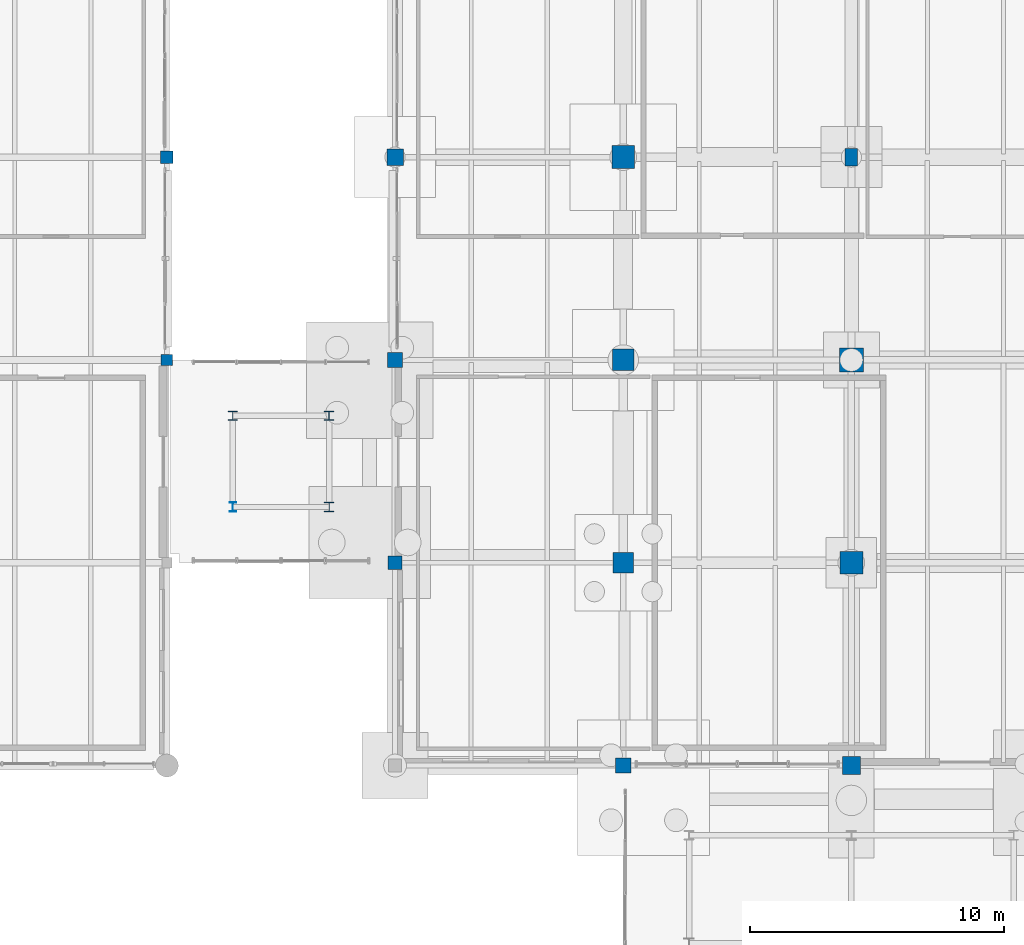
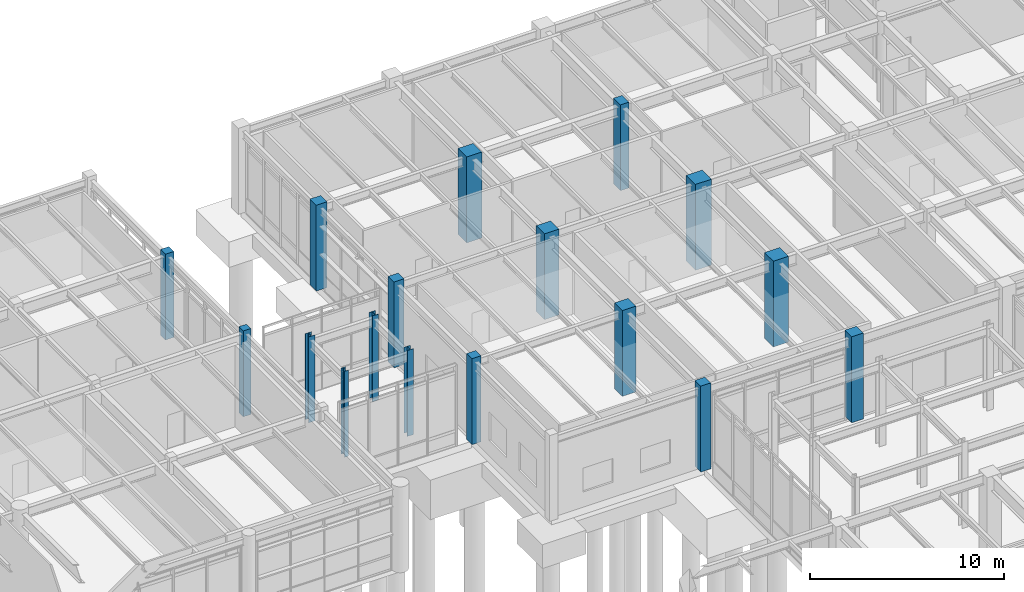
# One storey, part 16 of 203: 17 columns.
"""IFC4 building model written with IfcOpenShell, lengths in metres."""

from ifc_helpers import new_model, si_unit, direction, frame, origin, origin_2d, place, context, subcontext, project, spatial, rectangle, i_section, extrude, material, material_profile, profile_set, type_object, element, save


model = new_model("IFC4")

# Units and contexts
model_context = context("Model", 3, precision=1e-05, world=origin(), true_north=direction((0.0, 1.0)))
body_context = subcontext(model_context, "Body", "Model", "MODEL_VIEW")
ifc_project = project(units=[si_unit("LENGTHUNIT", "METRE"), si_unit("AREAUNIT", "SQUARE_METRE"), si_unit("VOLUMEUNIT", "CUBIC_METRE"), si_unit("PLANEANGLEUNIT", "RADIAN"), si_unit("MASSUNIT", "GRAM", prefix="KILO"), si_unit("THERMODYNAMICTEMPERATUREUNIT", "KELVIN"), si_unit("POWERUNIT", "WATT")], contexts=[model_context])

# Site, building, storey
site_placement = place(None, origin())
site = spatial("IfcSite", under=ifc_project, at=site_placement, CompositionType="ELEMENT")
building_placement = place(site_placement, origin())
building = spatial("IfcBuilding", under=site, at=building_placement, Name="Tepalcoro Natatorium and Aquatics Centre", CompositionType="ELEMENT")
storey_placement = place(building_placement, origin())
storey = spatial("IfcBuildingStorey", under=building, at=storey_placement, Name="L00", CompositionType="ELEMENT", Elevation=0.0)

# Columns
ifc_material_1 = material(Name="Concrete C40/50 (fc 40 MPa)", Category="concrete")
ifc_material_profile_1 = material_profile(ifc_material_1, rectangle(XDim=0.449951171875, YDim=0.449951171875, at=origin_2d()), Name="RC450x450")
ifc_profile_set_1 = profile_set([ifc_material_profile_1], Name="Concrete C40/50 (fc 40 MPa)")
column_type_1 = type_object("IfcColumnType", Name="COL_RC_450x450", PredefinedType="COLUMN", material=ifc_profile_set_1)
column_1_placement = place(storey_placement, frame((89.0, 102.0, 0.0), z_axis=(0.0, 0.0, 1.0), x_axis=(1.0, 0.0, 0.0)))
element("IfcColumn", 1, at=column_1_placement, inside=storey, type_object=column_type_1, Name="V4 L00 Grid Column (89.0, 102.0)", PredefinedType="COLUMN", context=body_context, shape_type="SweptSolid", body=[
    extrude(rectangle(XDim=0.449951171875, YDim=0.449951171875, at=origin_2d()), origin(), (0.0, 0.0, 1.0), 5.39990234375),
])
ifc_material_profile_2 = material_profile(ifc_material_1, rectangle(XDim=0.5, YDim=0.5, at=origin_2d()), Name="RC500x500")
ifc_profile_set_2 = profile_set([ifc_material_profile_2], Name="Concrete C40/50 (fc 40 MPa)")
column_type_2 = type_object("IfcColumnType", Name="COL_RC_500x500", PredefinedType="COLUMN", material=ifc_profile_set_2)
column_2_placement = place(storey_placement, frame((89.0, 110.0, 0.0), z_axis=(0.0, 0.0, 1.0), x_axis=(1.0, 0.0, 0.0)))
element("IfcColumn", 2, at=column_2_placement, inside=storey, type_object=column_type_2, Name="V4 L00 Grid Column (89.0, 110.0)", PredefinedType="COLUMN", context=body_context, shape_type="SweptSolid", body=[
    extrude(rectangle(XDim=0.5, YDim=0.5, at=origin_2d()), origin(), (0.0, 0.0, 1.0), 5.39990234375),
])
ifc_material_profile_3 = material_profile(ifc_material_1, rectangle(XDim=0.5, YDim=0.699951171875, at=origin_2d()), Name="RC500x700")
ifc_profile_set_3 = profile_set([ifc_material_profile_3], Name="Concrete C40/50 (fc 40 MPa)")
column_type_3 = type_object("IfcColumnType", Name="COL_RC_500x700", PredefinedType="COLUMN", material=ifc_profile_set_3)
column_3_placement = place(storey_placement, frame((116.0, 110.0, 0.0), z_axis=(0.0, 0.0, 1.0), x_axis=(1.0, 0.0, 0.0)))
element("IfcColumn", 3, at=column_3_placement, inside=storey, type_object=column_type_3, Name="V5 L00 Grid Column (116.0, 110.0)", PredefinedType="COLUMN", context=body_context, shape_type="SweptSolid", body=[
    extrude(rectangle(XDim=0.5, YDim=0.699951171875, at=origin_2d()), origin(), (0.0, 0.0, 1.0), 5.39990234375),
])
ifc_material_profile_4 = material_profile(ifc_material_1, rectangle(XDim=0.550048828125, YDim=0.550048828125, at=origin_2d()), Name="RC550x550")
ifc_profile_set_4 = profile_set([ifc_material_profile_4], Name="Concrete C40/50 (fc 40 MPa)")
column_type_4 = type_object("IfcColumnType", Name="COL_RC_550x550", PredefinedType="COLUMN", material=ifc_profile_set_4)
column_4_placement = place(storey_placement, frame((98.0, 94.0, 0.0), z_axis=(0.0, 0.0, 1.0), x_axis=(1.0, 0.0, 0.0)))
element("IfcColumn", 4, at=column_4_placement, inside=storey, type_object=column_type_4, Name="V5 L00 Grid Column (98.0, 94.0)", PredefinedType="COLUMN", context=body_context, shape_type="SweptSolid", body=[
    extrude(rectangle(XDim=0.550048828125, YDim=0.550048828125, at=origin_2d()), origin(), (0.0, 0.0, 1.0), 5.39990234375),
])
ifc_material_profile_5 = material_profile(ifc_material_1, rectangle(XDim=0.60009765625, YDim=0.60009765625, at=origin_2d()), Name="RC600x600")
ifc_profile_set_5 = profile_set([ifc_material_profile_5], Name="Concrete C40/50 (fc 40 MPa)")
column_type_5 = type_object("IfcColumnType", Name="COL_RC_600x600", PredefinedType="COLUMN", material=ifc_profile_set_5)
for number, where, z_axis, x_axis, name in (
    (5, (98.0, 102.0, 0.0), (0.0, 0.0, 1.0), (1.0, 0.0, 0.0), "V5 L00 Grid Column (98.0, 102.0)"),
    (6, (107.0, 86.0, 0.0), (0.0, 0.0, 1.0), (1.0, 0.0, 0.0), "V5 L00 Grid Column (107.0, 86.0)"),
):
    element("IfcColumn", number, at=place(storey_placement, frame(where, z_axis=z_axis, x_axis=x_axis)), inside=storey, type_object=column_type_5, Name=name, PredefinedType="COLUMN", context=body_context, shape_type="SweptSolid", body=[
        extrude(rectangle(XDim=0.60009765625, YDim=0.60009765625, at=origin_2d()), origin(), (0.0, 0.0, 1.0), 5.39990234375),
    ])
ifc_material_profile_6 = material_profile(ifc_material_1, rectangle(XDim=0.64990234375, YDim=0.64990234375, at=origin_2d()), Name="RC650x650")
ifc_profile_set_6 = profile_set([ifc_material_profile_6], Name="Concrete C40/50 (fc 40 MPa)")
column_type_6 = type_object("IfcColumnType", Name="COL_RC_650x650", PredefinedType="COLUMN", material=ifc_profile_set_6)
column_5_placement = place(storey_placement, frame((98.0, 110.0, 0.0), z_axis=(0.0, 0.0, 1.0), x_axis=(1.0, 0.0, 0.0)))
element("IfcColumn", 7, at=column_5_placement, inside=storey, type_object=column_type_6, Name="V5 L00 Grid Column (98.0, 110.0)", PredefinedType="COLUMN", context=body_context, shape_type="SweptSolid", body=[
    extrude(rectangle(XDim=0.64990234375, YDim=0.64990234375, at=origin_2d()), origin(), (0.0, 0.0, 1.0), 5.39990234375),
])
ifc_material_profile_7 = material_profile(ifc_material_1, rectangle(XDim=0.699951171875, YDim=0.699951171875, at=origin_2d()), Name="RC700x700")
ifc_profile_set_7 = profile_set([ifc_material_profile_7], Name="Concrete C40/50 (fc 40 MPa)")
column_type_7 = type_object("IfcColumnType", Name="COL_RC_700x700", PredefinedType="COLUMN", material=ifc_profile_set_7)
column_6_placement = place(storey_placement, frame((116.0, 86.0, 0.0), z_axis=(0.0, 0.0, 1.0), x_axis=(1.0, 0.0, 0.0)))
element("IfcColumn", 8, at=column_6_placement, inside=storey, type_object=column_type_7, Name="V5 L00 Grid Column (116.0, 86.0)", PredefinedType="COLUMN", context=body_context, shape_type="SweptSolid", body=[
    extrude(rectangle(XDim=0.699951171875, YDim=0.699951171875, at=origin_2d()), origin(), (0.0, 0.0, 1.0), 5.39990234375),
])
ifc_material_profile_8 = material_profile(ifc_material_1, rectangle(XDim=0.800048828125, YDim=0.800048828125, at=origin_2d()), Name="RC800x800")
ifc_profile_set_8 = profile_set([ifc_material_profile_8], Name="Concrete C40/50 (fc 40 MPa)")
column_type_8 = type_object("IfcColumnType", Name="COL_RC_800x800", PredefinedType="COLUMN", material=ifc_profile_set_8)
column_7_placement = place(storey_placement, frame((107.0, 94.0, 0.0), z_axis=(0.0, 0.0, 1.0), x_axis=(1.0, 0.0, 0.0)))
element("IfcColumn", 9, at=column_7_placement, inside=storey, type_object=column_type_8, Name="V5 L00 Grid Column (107.0, 94.0)", PredefinedType="COLUMN", context=body_context, shape_type="SweptSolid", body=[
    extrude(rectangle(XDim=0.800048828125, YDim=0.800048828125, at=origin_2d()), origin(), (0.0, 0.0, 1.0), 5.39990234375),
])
ifc_material_profile_9 = material_profile(ifc_material_1, rectangle(XDim=0.85009765625, YDim=0.85009765625, at=origin_2d()), Name="RC850x850")
ifc_profile_set_9 = profile_set([ifc_material_profile_9], Name="Concrete C40/50 (fc 40 MPa)")
column_type_9 = type_object("IfcColumnType", Name="COL_RC_850x850", PredefinedType="COLUMN", material=ifc_profile_set_9)
column_8_placement = place(storey_placement, frame((107.0, 102.0, 0.0), z_axis=(0.0, 0.0, 1.0), x_axis=(1.0, 0.0, 0.0)))
element("IfcColumn", 10, at=column_8_placement, inside=storey, type_object=column_type_9, Name="V5 L00 Grid Column (107.0, 102.0)", PredefinedType="COLUMN", context=body_context, shape_type="SweptSolid", body=[
    extrude(rectangle(XDim=0.85009765625, YDim=0.85009765625, at=origin_2d()), origin(), (0.0, 0.0, 1.0), 5.39990234375),
])
ifc_material_profile_10 = material_profile(ifc_material_1, rectangle(XDim=0.89990234375, YDim=0.89990234375, at=origin_2d()), Name="RC900x900")
ifc_profile_set_10 = profile_set([ifc_material_profile_10], Name="Concrete C40/50 (fc 40 MPa)")
column_type_10 = type_object("IfcColumnType", Name="COL_RC_900x900", PredefinedType="COLUMN", material=ifc_profile_set_10)
for number, where, z_axis, x_axis, name in (
    (11, (107.0, 110.0, 0.0), (0.0, 0.0, 1.0), (1.0, 0.0, 0.0), "V5 L00 Grid Column (107.0, 110.0)"),
    (12, (116.0, 94.0, 0.0), (0.0, 0.0, 1.0), (1.0, 0.0, 0.0), "V5 L00 Grid Column (116.0, 94.0)"),
):
    element("IfcColumn", number, at=place(storey_placement, frame(where, z_axis=z_axis, x_axis=x_axis)), inside=storey, type_object=column_type_10, Name=name, PredefinedType="COLUMN", context=body_context, shape_type="SweptSolid", body=[
        extrude(rectangle(XDim=0.89990234375, YDim=0.89990234375, at=origin_2d()), origin(), (0.0, 0.0, 1.0), 5.39990234375),
    ])
ifc_material_profile_11 = material_profile(ifc_material_1, rectangle(XDim=0.949951171875, YDim=0.949951171875, at=origin_2d()), Name="RC950x950")
ifc_profile_set_11 = profile_set([ifc_material_profile_11], Name="Concrete C40/50 (fc 40 MPa)")
column_type_11 = type_object("IfcColumnType", Name="COL_RC_950x950", PredefinedType="COLUMN", material=ifc_profile_set_11)
column_9_placement = place(storey_placement, frame((116.0, 102.0, 0.0), z_axis=(0.0, 0.0, 1.0), x_axis=(1.0, 0.0, 0.0)))
element("IfcColumn", 13, at=column_9_placement, inside=storey, type_object=column_type_11, Name="V5 L00 Grid Column (116.0, 102.0)", PredefinedType="COLUMN", context=body_context, shape_type="SweptSolid", body=[
    extrude(rectangle(XDim=0.949951171875, YDim=0.949951171875, at=origin_2d()), origin(), (0.0, 0.0, 1.0), 5.39990234375),
])
ifc_material_2 = material(Name="Steel ASTM A992 Grade 50 (Fy 345 MPa)", Category="steel")
ifc_material_profile_12 = material_profile(ifc_material_2, i_section(OverallWidth=0.373046875, OverallDepth=0.367919921875, WebThickness=0.014892578125, FlangeThickness=0.02392578125, FilletRadius=0.013916015625, at=origin_2d()), Name="W14X120")
ifc_profile_set_12 = profile_set([ifc_material_profile_12], Name="Steel ASTM A992 Grade 50 (Fy 345 MPa)")
column_type_12 = type_object("IfcColumnType", Name="COL_W14x120", PredefinedType="COLUMN", material=ifc_profile_set_12)
column_10_placement = place(storey_placement, frame((95.39990234375, 99.800048828125, 0.0), z_axis=(0.0, 0.0, 1.0), x_axis=(1.0, 0.0, 0.0)))
element("IfcColumn", 14, at=column_10_placement, inside=storey, type_object=column_type_12, Name="North Spine Seismic Link Column L00", PredefinedType="COLUMN", context=body_context, shape_type="SweptSolid", body=[
    extrude(i_section(OverallWidth=0.373046875, OverallDepth=0.367919921875, WebThickness=0.014892578125, FlangeThickness=0.02392578125, FilletRadius=0.013916015625, at=origin_2d()), origin(), (0.0, 0.0, 1.0), 5.39990234375),
])
ifc_material_profile_13 = material_profile(ifc_material_2, i_section(OverallWidth=0.25390625, OverallDepth=0.35595703125, WebThickness=0.010986328125, FlangeThickness=0.01806640625, FilletRadius=0.013916015625, at=origin_2d()), Name="W14X68")
ifc_profile_set_13 = profile_set([ifc_material_profile_13], Name="Steel ASTM A992 Grade 50 (Fy 345 MPa)")
column_type_13 = type_object("IfcColumnType", Name="COL_W14x68", PredefinedType="COLUMN", material=ifc_profile_set_13)
column_11_placement = place(storey_placement, frame((91.60009765625, 96.199951171875, 0.0), z_axis=(0.0, 0.0, 1.0), x_axis=(1.0, 0.0, 0.0)))
element("IfcColumn", 15, at=column_11_placement, inside=storey, type_object=column_type_13, Name="North Spine Seismic Link Column L00", PredefinedType="COLUMN", context=body_context, shape_type="SweptSolid", body=[
    extrude(i_section(OverallWidth=0.25390625, OverallDepth=0.35595703125, WebThickness=0.010986328125, FlangeThickness=0.01806640625, FilletRadius=0.013916015625, at=origin_2d()), origin(), (0.0, 0.0, 1.0), 5.39990234375),
])
ifc_material_profile_14 = material_profile(ifc_material_2, i_section(OverallWidth=0.367919921875, OverallDepth=0.35595703125, WebThickness=0.010986328125, FlangeThickness=0.01806640625, FilletRadius=0.013916015625, at=origin_2d()), Name="W14X90")
ifc_profile_set_14 = profile_set([ifc_material_profile_14], Name="Steel ASTM A992 Grade 50 (Fy 345 MPa)")
column_type_14 = type_object("IfcColumnType", Name="COL_W14x90", PredefinedType="COLUMN", material=ifc_profile_set_14)
for number, where, z_axis, x_axis, name in (
    (16, (91.60009765625, 99.800048828125, 0.0), (0.0, 0.0, 1.0), (1.0, 0.0, 0.0), "North Spine Seismic Link Column L00"),
    (17, (95.39990234375, 96.199951171875, 0.0), (0.0, 0.0, 1.0), (1.0, 0.0, 0.0), "North Spine Seismic Link Column L00"),
):
    element("IfcColumn", number, at=place(storey_placement, frame(where, z_axis=z_axis, x_axis=x_axis)), inside=storey, type_object=column_type_14, Name=name, PredefinedType="COLUMN", context=body_context, shape_type="SweptSolid", body=[
        extrude(i_section(OverallWidth=0.367919921875, OverallDepth=0.35595703125, WebThickness=0.010986328125, FlangeThickness=0.01806640625, FilletRadius=0.013916015625, at=origin_2d()), origin(), (0.0, 0.0, 1.0), 5.39990234375),
    ])

save(model, "model.ifc")
